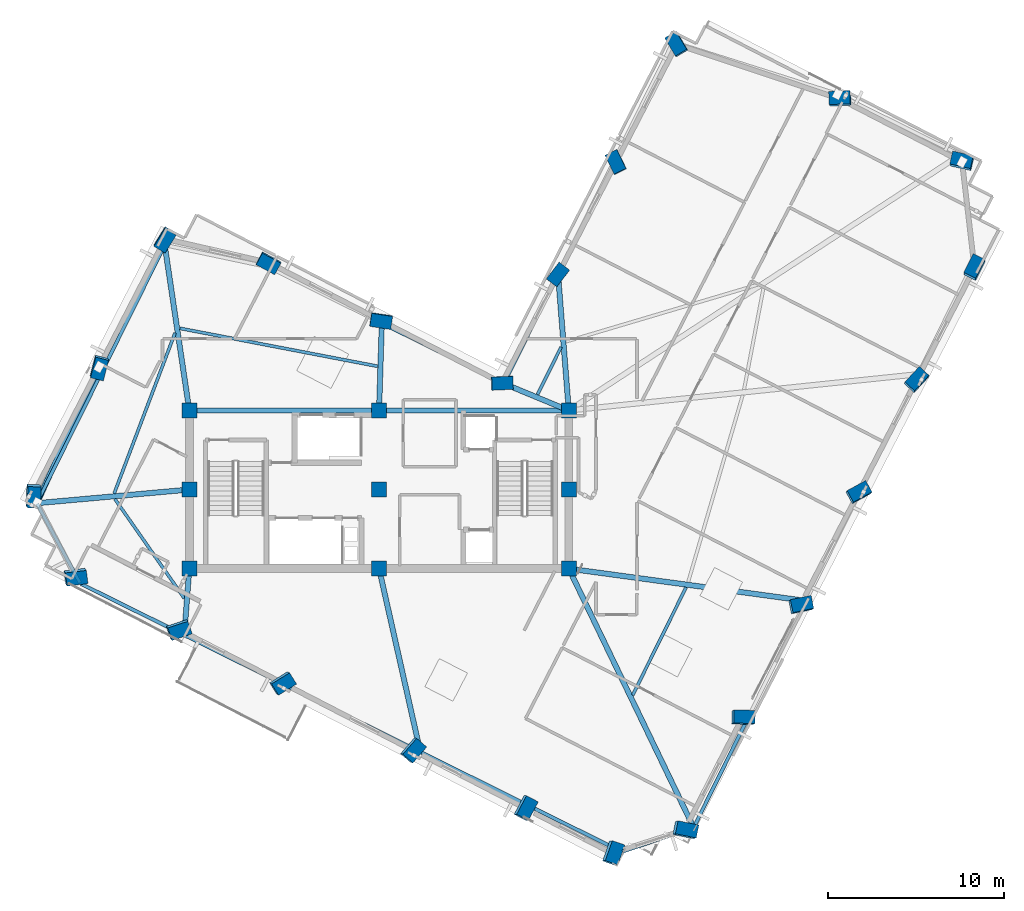
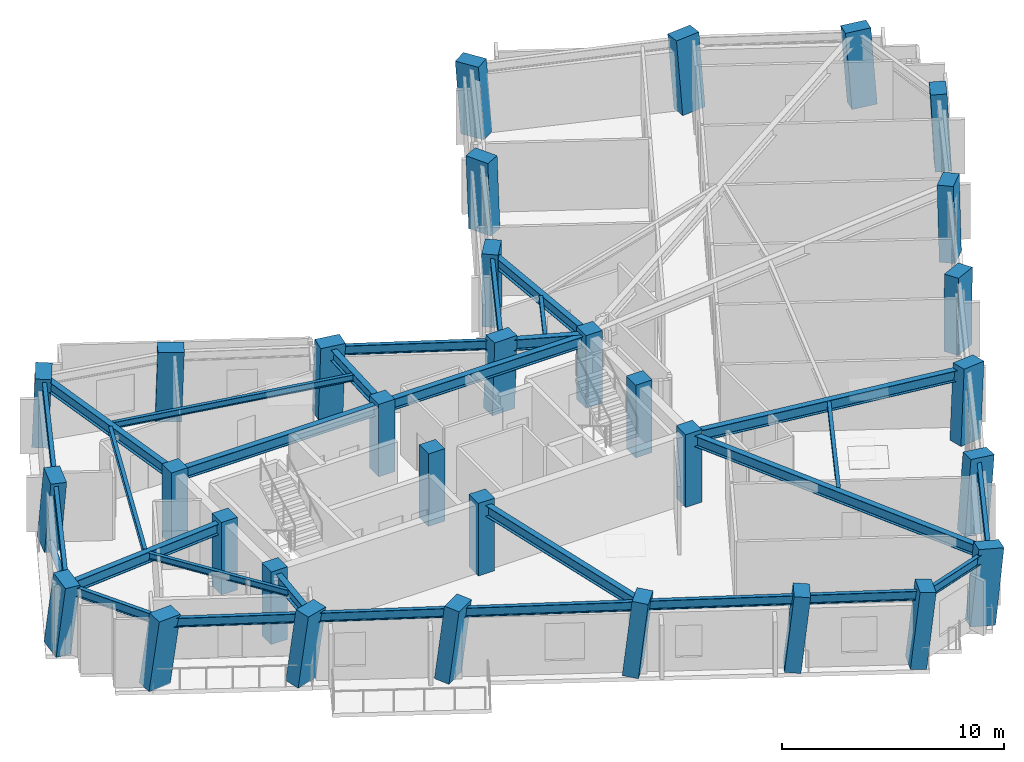
# One storey, part 1 of 11: 32 columns, 28 beams, 1 member.
"""IFC4 building model written with IfcOpenShell, lengths in metres."""

from ifc_helpers import new_model, si_unit, direction, frame, origin, origin_2d, place, context, subcontext, project, spatial, rectangle, hollow_circle, i_section, extrude, material, material_profile, profile_set, type_object, element, save


model = new_model("IFC4")

# Units and contexts
model_context = context("Model", 3, precision=1e-05, world=origin(), true_north=direction((0.0, 1.0)))
body_context = subcontext(model_context, "Body", "Model", "MODEL_VIEW")
ifc_project = project(units=[si_unit("LENGTHUNIT", "METRE"), si_unit("AREAUNIT", "SQUARE_METRE"), si_unit("VOLUMEUNIT", "CUBIC_METRE"), si_unit("PLANEANGLEUNIT", "RADIAN"), si_unit("MASSUNIT", "GRAM", prefix="KILO")], contexts=[model_context])

# Site, building, storey
site_placement = place(None, origin())
site = spatial("IfcSite", under=ifc_project, at=site_placement, CompositionType="ELEMENT")
building_placement = place(site_placement, origin())
building = spatial("IfcBuilding", under=site, at=building_placement, Name="Gaonmaruhae Medical Tower", CompositionType="ELEMENT")
storey_placement = place(building_placement, frame((0.0, 0.0, 292.60009765625)))
storey = spatial("IfcBuildingStorey", under=building, at=storey_placement, Name="L70", CompositionType="ELEMENT", Elevation=292.60009765625)

# Columns
ifc_material_1 = material(Name="Concrete C50/60", Category="concrete")
ifc_material_profile_1 = material_profile(ifc_material_1, rectangle(XDim=0.85009765625, YDim=0.85009765625, at=origin_2d()), Name="RC-850x850")
ifc_profile_set_1 = profile_set([ifc_material_profile_1], Name="Concrete C50/60")
column_type_1 = type_object("IfcColumnType", Name="CC-06 Upper Core Column (RC-850x850)", PredefinedType="COLUMN", material=ifc_profile_set_1)
for number, where, z_axis, x_axis, name in (
    (1, (14.0, 7.800048828125, 0.0), (0.0, 0.0, 1.0), (1.0, 0.0, 0.0), "L70 Plumb Core Column CC11"),
    (2, (14.0, 12.300048828125, 0.0), (0.0, 0.0, 1.0), (1.0, 0.0, 0.0), "L70 Plumb Core Column CC12"),
    (3, (14.0, 16.800048828125, 0.0), (0.0, 0.0, 1.0), (1.0, 0.0, 0.0), "L70 Plumb Core Column CC13"),
    (4, (24.800048828125, 7.800048828125, 0.0), (0.0, 0.0, 1.0), (1.0, 0.0, 0.0), "L70 Plumb Core Column CC21"),
    (5, (24.800048828125, 12.300048828125, 0.0), (0.0, 0.0, 1.0), (1.0, 0.0, 0.0), "L70 Plumb Core Column CC22"),
    (6, (24.800048828125, 16.800048828125, 0.0), (0.0, 0.0, 1.0), (1.0, 0.0, 0.0), "L70 Plumb Core Column CC23"),
    (7, (35.60009765625, 7.800048828125, 0.0), (0.0, 0.0, 1.0), (1.0, 0.0, 0.0), "L70 Plumb Core Column CC31"),
    (8, (35.60009765625, 12.300048828125, 0.0), (0.0, 0.0, 1.0), (1.0, 0.0, 0.0), "L70 Plumb Core Column CC32"),
    (9, (35.60009765625, 16.800048828125, 0.0), (0.0, 0.0, 1.0), (1.0, 0.0, 0.0), "L70 Plumb Core Column CC33"),
):
    element("IfcColumn", number, at=place(storey_placement, frame(where, z_axis=z_axis, x_axis=x_axis)), inside=storey, type_object=column_type_1, Name=name, PredefinedType="COLUMN", context=body_context, shape_type="SweptSolid", body=[
        extrude(rectangle(XDim=0.85009765625, YDim=0.85009765625, at=origin_2d()), origin(), (0.0, 0.0, 1.0), 4.0),
    ])
ifc_material_profile_2 = material_profile(ifc_material_1, rectangle(XDim=1.199951171875, YDim=0.75, at=origin_2d()), Name="RC-1200x750")
ifc_profile_set_2 = profile_set([ifc_material_profile_2], Name="Concrete C50/60")
column_type_2 = type_object("IfcColumnType", Name="TC-03 Upper Raking Tube Pier Column (RC-1200x750)", PredefinedType="COLUMN", material=ifc_profile_set_2)
column_1_placement = place(storey_placement, frame((42.180908203125, -7.087158203125, 0.001708984375), z_axis=(0.130676895503, 0.03631595058, 0.990759658401), x_axis=(-0.971066421025, 0.206165785347, 0.120522507898)))
element("IfcColumn", 10, at=column_1_placement, inside=storey, type_object=column_type_2, Name="L70 Perimeter Tube Column S01", PredefinedType="COLUMN", context=body_context, shape_type="SweptSolid", body=[
    extrude(rectangle(XDim=1.199951171875, YDim=0.75, at=origin_2d()), origin(), (0.0, 0.0, 1.0), 4.03369140625),
])
column_2_placement = place(storey_placement, frame((45.483154296875, -0.68896484375, 0.001708984375), z_axis=(0.104551954456, 0.049757749654, 0.993273907424), x_axis=(-0.994082108638, 0.034843844666, 0.102891534031)))
element("IfcColumn", 11, at=column_2_placement, inside=storey, type_object=column_type_2, Name="L70 Perimeter Tube Column S02", PredefinedType="COLUMN", context=body_context, shape_type="SweptSolid", body=[
    extrude(rectangle(XDim=1.199951171875, YDim=0.75, at=origin_2d()), origin(), (0.0, 0.0, 1.0), 4.0234375),
])
column_3_placement = place(storey_placement, frame((48.785400390625, 5.708984375, 0.001708984375), z_axis=(0.078225272526, 0.063273122532, 0.994925785525), x_axis=(-0.975830382164, -0.19940357382, 0.089405145225)))
element("IfcColumn", 12, at=column_3_placement, inside=storey, type_object=column_type_2, Name="L70 Perimeter Tube Column S03", PredefinedType="COLUMN", context=body_context, shape_type="SweptSolid", body=[
    extrude(rectangle(XDim=1.199951171875, YDim=0.75, at=origin_2d()), origin(), (0.0, 0.0, 1.0), 4.0166015625),
])
column_4_placement = place(storey_placement, frame((52.087646484375, 12.107177734375, 0.001708984375), z_axis=(0.051765437966, 0.076705308196, 0.995709111702), x_axis=(-0.875129587478, -0.476850316831, 0.082231262048)))
element("IfcColumn", 13, at=column_4_placement, inside=storey, type_object=column_type_2, Name="L70 Perimeter Tube Column S04", PredefinedType="COLUMN", context=body_context, shape_type="SweptSolid", body=[
    extrude(rectangle(XDim=1.199951171875, YDim=0.75, at=origin_2d()), origin(), (0.0, 0.0, 1.0), 4.013671875),
])
column_5_placement = place(storey_placement, frame((55.389892578125, 18.505126953125, 0.001708984375), z_axis=(0.025241482781, 0.090139463812, 0.995609232887), x_axis=(-0.680227026132, -0.728266544912, 0.083180721816)))
element("IfcColumn", 14, at=column_5_placement, inside=storey, type_object=column_type_2, Name="L70 Perimeter Tube Column S05", PredefinedType="COLUMN", context=body_context, shape_type="SweptSolid", body=[
    extrude(rectangle(XDim=1.199951171875, YDim=0.75, at=origin_2d()), origin(), (0.0, 0.0, 1.0), 4.013916015625),
])
column_6_placement = place(storey_placement, frame((58.692138671875, 24.903076171875, 0.001708984375), z_axis=(-0.001276024564, 0.103479515869, 0.994630766444), x_axis=(-0.447716651487, -0.88943410931, 0.091960671909)))
element("IfcColumn", 15, at=column_6_placement, inside=storey, type_object=column_type_2, Name="L70 Perimeter Tube Column S06", PredefinedType="COLUMN", context=body_context, shape_type="SweptSolid", body=[
    extrude(rectangle(XDim=1.199951171875, YDim=0.75, at=origin_2d()), origin(), (0.0, 0.0, 1.0), 4.017822265625),
])
column_7_placement = place(storey_placement, frame((57.98681640625, 30.9501953125, 0.001708984375), z_axis=(-0.026188357565, 0.100317815175, 0.994610730832), x_axis=(0.975028094834, -0.216930765464, 0.047552679006)))
element("IfcColumn", 16, at=column_7_placement, inside=storey, type_object=column_type_2, Name="L70 Perimeter Tube Column E01", PredefinedType="COLUMN", context=body_context, shape_type="SweptSolid", body=[
    extrude(rectangle(XDim=1.199951171875, YDim=0.75, at=origin_2d()), origin(), (0.0, 0.0, 1.0), 4.01806640625),
])
column_8_placement = place(storey_placement, frame((51.0556640625, 34.527587890625, 0.001708984375), z_axis=(-0.040791289145, 0.071780492391, 0.996585988082), x_axis=(0.998414705966, 0.041643578843, 0.037866703741)))
element("IfcColumn", 17, at=column_8_placement, inside=storey, type_object=column_type_2, Name="L70 Perimeter Tube Column E02", PredefinedType="COLUMN", context=body_context, shape_type="SweptSolid", body=[
    extrude(rectangle(XDim=1.199951171875, YDim=0.75, at=origin_2d()), origin(), (0.0, 0.0, 1.0), 4.010009765625),
])
column_9_placement = place(storey_placement, frame((41.748046875, 37.6435546875, 0.001708984375), z_axis=(-0.053409812667, 0.033228707652, 0.998019661579), x_axis=(0.510733836593, -0.857919887717, 0.055896461584)))
element("IfcColumn", 18, at=column_9_placement, inside=storey, type_object=column_type_2, Name="L70 Perimeter Tube Column E03", PredefinedType="COLUMN", context=body_context, shape_type="SweptSolid", body=[
    extrude(rectangle(XDim=1.199951171875, YDim=0.75, at=origin_2d()), origin(), (0.0, 0.0, 1.0), 4.004150390625),
])
column_10_placement = place(storey_placement, frame((38.285400390625, 30.934326171875, 0.001708984375), z_axis=(-0.025584050071, 0.019233832393, 0.999487626774), x_axis=(0.434309594516, -0.900314501729, 0.028442469799)))
element("IfcColumn", 19, at=column_10_placement, inside=storey, type_object=column_type_2, Name="L70 Perimeter Tube Column EN01", PredefinedType="COLUMN", context=body_context, shape_type="SweptSolid", body=[
    extrude(rectangle(XDim=1.199951171875, YDim=0.75, at=origin_2d()), origin(), (0.0, 0.0, 1.0), 3.998291015625),
])
column_11_placement = place(storey_placement, frame((34.983154296875, 24.536376953125, 0.001708984375), z_axis=(0.001038530792, 0.005742464379, 0.999982972633), x_axis=(-0.609467423178, -0.792794153179, 0.005185631168)))
element("IfcColumn", 20, at=column_11_placement, inside=storey, type_object=column_type_2, Name="L70 Perimeter Tube Column EN02", PredefinedType="COLUMN", context=body_context, shape_type="SweptSolid", body=[
    extrude(rectangle(XDim=1.199951171875, YDim=0.75, at=origin_2d()), origin(), (0.0, 0.0, 1.0), 3.996337890625),
])
column_12_placement = place(storey_placement, frame((31.79541015625, 18.3603515625, 0.001708984375), z_axis=(0.026747615739, -0.007267046285, 0.999615803742), x_axis=(-0.998694834125, -0.043719525929, 0.026405138601)))
element("IfcColumn", 21, at=column_12_placement, inside=storey, type_object=column_type_2, Name="L70 Perimeter Tube Column KN01", PredefinedType="COLUMN", context=body_context, shape_type="SweptSolid", body=[
    extrude(rectangle(XDim=1.199951171875, YDim=0.75, at=origin_2d()), origin(), (0.0, 0.0, 1.0), 3.997802734375),
])
column_13_placement = place(storey_placement, frame((24.90869140625, 21.914794921875, 0.001708984375), z_axis=(0.012270469901, -0.035895702993, 0.999280207987), x_axis=(-0.989094840415, 0.146248677258, 0.017398881126)))
element("IfcColumn", 22, at=column_13_placement, inside=storey, type_object=column_type_2, Name="L70 Perimeter Tube Column NE01", PredefinedType="COLUMN", context=body_context, shape_type="SweptSolid", body=[
    extrude(rectangle(XDim=1.199951171875, YDim=0.75, at=origin_2d()), origin(), (0.0, 0.0, 1.0), 3.999267578125),
])
column_14_placement = place(storey_placement, frame((18.5107421875, 25.217041015625, 0.001708984375), z_axis=(-0.001219437078, -0.062435178371, 0.998048276124), x_axis=(-0.879508980055, 0.475019608362, 0.028641328081)))
element("IfcColumn", 23, at=column_14_placement, inside=storey, type_object=column_type_2, Name="L70 Perimeter Tube Column NE02", PredefinedType="COLUMN", context=body_context, shape_type="SweptSolid", body=[
    extrude(rectangle(XDim=1.199951171875, YDim=0.75, at=origin_2d()), origin(), (0.0, 0.0, 1.0), 4.004150390625),
])
column_15_placement = place(storey_placement, frame((12.624267578125, 26.567138671875, 0.001708984375), z_axis=(-0.006572870301, -0.086664512123, 0.996215870037), x_axis=(0.524283941242, 0.848033873805, 0.077232751051)))
element("IfcColumn", 24, at=column_15_placement, inside=storey, type_object=column_type_2, Name="L70 Perimeter Tube Column N01", PredefinedType="COLUMN", context=body_context, shape_type="SweptSolid", body=[
    extrude(rectangle(XDim=1.199951171875, YDim=0.75, at=origin_2d()), origin(), (0.0, 0.0, 1.0), 4.011474609375),
])
column_16_placement = place(storey_placement, frame((8.86328125, 19.280517578125, 0.001708984375), z_axis=(0.023634379865, -0.101767573967, 0.994527413889), x_axis=(0.246838352146, 0.964599256067, 0.092839124866)))
element("IfcColumn", 25, at=column_16_placement, inside=storey, type_object=column_type_2, Name="L70 Perimeter Tube Column N02", PredefinedType="COLUMN", context=body_context, shape_type="SweptSolid", body=[
    extrude(rectangle(XDim=1.199951171875, YDim=0.75, at=origin_2d()), origin(), (0.0, 0.0, 1.0), 4.018310546875),
])
column_17_placement = place(storey_placement, frame((5.1025390625, 11.993896484375, 0.001708984375), z_axis=(0.053617586983, -0.116746994481, 0.991713312226), x_axis=(0.049001612561, 0.992253020135, 0.114161228095)))
element("IfcColumn", 26, at=column_17_placement, inside=storey, type_object=column_type_2, Name="L70 Perimeter Tube Column N03", PredefinedType="COLUMN", context=body_context, shape_type="SweptSolid", body=[
    extrude(rectangle(XDim=1.199951171875, YDim=0.75, at=origin_2d()), origin(), (0.0, 0.0, 1.0), 4.02978515625),
])
column_18_placement = place(storey_placement, frame((7.503173828125, 7.378662109375, 0.001708984375), z_axis=(0.072515084343, -0.106682592755, 0.991645292908), x_axis=(-0.990592693613, -0.123392933804, 0.059163326888)))
element("IfcColumn", 27, at=column_18_placement, inside=storey, type_object=column_type_2, Name="L70 Perimeter Tube Column W01", PredefinedType="COLUMN", context=body_context, shape_type="SweptSolid", body=[
    extrude(rectangle(XDim=1.199951171875, YDim=0.75, at=origin_2d()), origin(), (0.0, 0.0, 1.0), 4.030029296875),
])
column_19_placement = place(storey_placement, frame((13.3681640625, 4.351806640625, 0.001708984375), z_axis=(0.08486484441, -0.082620384623, 0.992961142356), x_axis=(-0.946188801728, -0.319023187109, 0.05432271689)))
element("IfcColumn", 28, at=column_19_placement, inside=storey, type_object=column_type_2, Name="L70 Perimeter Tube Column W02", PredefinedType="COLUMN", context=body_context, shape_type="SweptSolid", body=[
    extrude(rectangle(XDim=1.199951171875, YDim=0.75, at=origin_2d()), origin(), (0.0, 0.0, 1.0), 4.024658203125),
])
column_20_placement = place(storey_placement, frame((19.27734375, 1.3017578125, 0.001708984375), z_axis=(0.097297535107, -0.058208569038, 0.993551685698), x_axis=(-0.847263732514, -0.528620835039, 0.052001733913)))
element("IfcColumn", 29, at=column_20_placement, inside=storey, type_object=column_type_2, Name="L70 Perimeter Tube Column W03", PredefinedType="COLUMN", context=body_context, shape_type="SweptSolid", body=[
    extrude(rectangle(XDim=1.199951171875, YDim=0.75, at=origin_2d()), origin(), (0.0, 0.0, 1.0), 4.022216796875),
])
column_21_placement = place(storey_placement, frame((26.697509765625, -2.52783203125, 0.001708984375), z_axis=(0.112740407542, -0.027487300655, 0.993244204015), x_axis=(-0.653074901278, -0.755420732918, 0.053223017568)))
element("IfcColumn", 30, at=column_21_placement, inside=storey, type_object=column_type_2, Name="L70 Perimeter Tube Column W04", PredefinedType="COLUMN", context=body_context, shape_type="SweptSolid", body=[
    extrude(rectangle(XDim=1.199951171875, YDim=0.75, at=origin_2d()), origin(), (0.0, 0.0, 1.0), 4.0234375),
])
column_22_placement = place(storey_placement, frame((33.095458984375, -5.830078125, 0.001708984375), z_axis=(0.125996137797, -0.001030271449, 0.992030197021), x_axis=(-0.462244984884, -0.88486715915, 0.057790004391)))
element("IfcColumn", 31, at=column_22_placement, inside=storey, type_object=column_type_2, Name="L70 Perimeter Tube Column W05", PredefinedType="COLUMN", context=body_context, shape_type="SweptSolid", body=[
    extrude(rectangle(XDim=1.199951171875, YDim=0.75, at=origin_2d()), origin(), (0.0, 0.0, 1.0), 4.028564453125),
])
column_23_placement = place(storey_placement, frame((38.07177734375, -8.398681640625, 0.001708984375), z_axis=(0.136148682381, 0.019484389212, 0.99049679195), x_axis=(-0.323820668418, -0.944013238211, 0.063080748161)))
element("IfcColumn", 32, at=column_23_placement, inside=storey, type_object=column_type_2, Name="L70 Perimeter Tube Column W06", PredefinedType="COLUMN", context=body_context, shape_type="SweptSolid", body=[
    extrude(rectangle(XDim=1.199951171875, YDim=0.75, at=origin_2d()), origin(), (0.0, 0.0, 1.0), 4.03466796875),
])

# Beams
ifc_material_2 = material(Name="Steel SM355", Category="steel")
ifc_material_profile_3 = material_profile(ifc_material_2, i_section(OverallWidth=0.175048828125, OverallDepth=0.35009765625, WebThickness=0.007080078125, FlangeThickness=0.010986328125, FilletRadius=0.012939453125, at=origin_2d()), Name="H-350x175x7x11")
ifc_profile_set_3 = profile_set([ifc_material_profile_3], Name="Steel SM355")
beam_type_1 = type_object("IfcBeamType", Name="FJ-02 Upper Zone Ward Floor Joist (H-350x175x7x11)", PredefinedType="JOIST", material=ifc_profile_set_3)
beam_1_placement = place(storey_placement, frame((39.2412109375, 0.60546875, 3.60498046875), z_axis=(0.443840744548, 0.896105682093, 0.0), x_axis=(-0.896105682093, 0.443840744548, 0.0)))
element("IfcBeam", 33, at=beam_1_placement, inside=storey, type_object=beam_type_1, Name="L70 Secondary Floor Joist FJ01", PredefinedType="JOIST", context=body_context, shape_type="SweptSolid", body=[
    extrude(i_section(OverallWidth=0.175048828125, OverallDepth=0.35009765625, WebThickness=0.007080078125, FlangeThickness=0.010986328125, FilletRadius=0.012939453125, at=origin_2d()), origin(), (0.0, 0.0, 1.0), 6.839599609375),
])
beam_2_placement = place(storey_placement, frame((35.1611328125, 20.412109375, 3.60498046875), z_axis=(-0.443879980575, -0.896086247436, 0.0), x_axis=(0.896086247436, -0.443879980575, 0.0)))
element("IfcBeam", 34, at=beam_2_placement, inside=storey, type_object=beam_type_1, Name="L70 Secondary Floor Joist FJ05", PredefinedType="JOIST", context=body_context, shape_type="SweptSolid", body=[
    extrude(i_section(OverallWidth=0.175048828125, OverallDepth=0.35009765625, WebThickness=0.007080078125, FlangeThickness=0.010986328125, FilletRadius=0.012939453125, at=origin_2d()), origin(), (0.0, 0.0, 1.0), 3.02001953125),
])
beam_3_placement = place(storey_placement, frame((24.723876953125, 19.3154296875, 3.60498046875), z_axis=(-0.98205272747, 0.188606575887, 0.0), x_axis=(-0.188606575887, -0.98205272747, 0.0)))
element("IfcBeam", 35, at=beam_3_placement, inside=storey, type_object=beam_type_1, Name="L70 Secondary Floor Joist FJ07", PredefinedType="JOIST", context=body_context, shape_type="SweptSolid", body=[
    extrude(i_section(OverallWidth=0.175048828125, OverallDepth=0.35009765625, WebThickness=0.007080078125, FlangeThickness=0.010986328125, FilletRadius=0.012939453125, at=origin_2d()), origin(), (0.0, 0.0, 1.0), 11.46875),
])
beam_4_placement = place(storey_placement, frame((13.18798828125, 21.216796875, 3.60498046875), z_axis=(-0.354590261491, -0.935021789295, 0.0), x_axis=(0.935021789295, -0.354590261491, 0.0)))
element("IfcBeam", 36, at=beam_4_placement, inside=storey, type_object=beam_type_1, Name="L70 Secondary Floor Joist FJ08", PredefinedType="JOIST", context=body_context, shape_type="SweptSolid", body=[
    extrude(i_section(OverallWidth=0.175048828125, OverallDepth=0.35009765625, WebThickness=0.007080078125, FlangeThickness=0.010986328125, FilletRadius=0.012939453125, at=origin_2d()), origin(), (0.0, 0.0, 1.0), 9.779052734375),
])
beam_5_placement = place(storey_placement, frame((9.76171875, 11.76513671875, 3.60498046875), z_axis=(0.572916176444, -0.819613966919, 0.0), x_axis=(0.819613966919, 0.572916176444, 0.0)))
element("IfcBeam", 37, at=beam_5_placement, inside=storey, type_object=beam_type_1, Name="L70 Secondary Floor Joist FJ09", PredefinedType="JOIST", context=body_context, shape_type="SweptSolid", body=[
    extrude(i_section(OverallWidth=0.175048828125, OverallDepth=0.35009765625, WebThickness=0.007080078125, FlangeThickness=0.010986328125, FilletRadius=0.012939453125, at=origin_2d()), origin(), (0.0, 0.0, 1.0), 6.901611328125),
])

# Member
ifc_material_profile_4 = material_profile(ifc_material_2, hollow_circle(Radius=0.1591796875, WallThickness=0.01025390625, at=origin_2d()), Name="CHS-318.5x10.3")
ifc_profile_set_4 = profile_set([ifc_material_profile_4], Name="Steel SM355")
member_type = type_object("IfcMemberType", Name="PB-03 Perimeter Solid-Bay Tube Brace Upper (CHS-318.5x10.3)", PredefinedType="BRACE", material=ifc_profile_set_4)
member_placement = place(storey_placement, frame((8.86328125, 19.28076171875, 0.25), z_axis=(-0.387917359548, -0.848934925428, 0.358928425386), x_axis=(0.909542190232, -0.415611602567, 0.0)))
element("IfcMember", 38, at=member_placement, inside=storey, type_object=member_type, Name="L70 Perimeter Tube Solid-Bay Brace N02-N03", PredefinedType="BRACE", context=body_context, shape_type="SweptSolid", body=[
    extrude(hollow_circle(Radius=0.1591796875, WallThickness=0.01025390625, at=origin_2d()), origin(), (0.0, 0.0, 1.0), 9.1376953125),
])

# Beams
ifc_material_3 = material(Name="Steel SM420", Category="steel")
ifc_material_profile_5 = material_profile(ifc_material_3, i_section(OverallWidth=0.300048828125, OverallDepth=0.60009765625, WebThickness=0.011962890625, FlangeThickness=0.02001953125, FilletRadius=0.012939453125, at=origin_2d()), Name="H-600x300x12x20")
ifc_profile_set_5 = profile_set([ifc_material_profile_5], Name="Steel SM420")
beam_type_2 = type_object("IfcBeamType", Name="PG-04 Zone 4 Radial Floor Girder (H-600x300x12x20)", PredefinedType="BEAM", material=ifc_profile_set_5)
for number, where, z_axis, x_axis, name in (
    (39, (14.050048828125, 16.800048828125, 3.47998046875), (1.0, 0.0, 0.0), (0.0, 1.0, 0.0), "L70 Beam BM-L70-CG-N1"),
    (40, (24.85009765625, 16.800048828125, 3.47998046875), (1.0, 0.0, 0.0), (0.0, 1.0, 0.0), "L70 Beam BM-L70-CG-N2"),
):
    element("IfcBeam", number, at=place(storey_placement, frame(where, z_axis=z_axis, x_axis=x_axis)), inside=storey, type_object=beam_type_2, Name=name, PredefinedType="BEAM", context=body_context, shape_type="SweptSolid", body=[
        extrude(i_section(OverallWidth=0.300048828125, OverallDepth=0.60009765625, WebThickness=0.011962890625, FlangeThickness=0.02001953125, FilletRadius=0.012939453125, at=origin_2d()), origin(), (0.0, 0.0, 1.0), 10.699951171875),
    ])
beam_6_placement = place(storey_placement, frame((35.621826171875, 7.7548828125, 3.47998046875), z_axis=(0.434354861042, -0.900741835761, 0.0), x_axis=(0.900741835761, 0.434354861042, 0.0)))
element("IfcBeam", 41, at=beam_6_placement, inside=storey, type_object=beam_type_2, Name="L70 Radial Primary Girder S01", PredefinedType="BEAM", context=body_context, shape_type="SweptSolid", body=[
    extrude(i_section(OverallWidth=0.300048828125, OverallDepth=0.60009765625, WebThickness=0.011962890625, FlangeThickness=0.02001953125, FilletRadius=0.012939453125, at=origin_2d()), origin(), (0.0, 0.0, 1.0), 16.264892578125),
])
beam_7_placement = place(storey_placement, frame((35.649658203125, 7.793212890625, 3.47998046875), z_axis=(0.990870549777, -0.13481674074, 0.0), x_axis=(0.13481674074, 0.990870549777, 0.0)))
element("IfcBeam", 42, at=beam_7_placement, inside=storey, type_object=beam_type_2, Name="L70 Radial Primary Girder S03", PredefinedType="BEAM", context=body_context, shape_type="SweptSolid", body=[
    extrude(i_section(OverallWidth=0.300048828125, OverallDepth=0.60009765625, WebThickness=0.011962890625, FlangeThickness=0.02001953125, FilletRadius=0.012939453125, at=origin_2d()), origin(), (0.0, 0.0, 1.0), 13.52392578125),
])
beam_8_placement = place(storey_placement, frame((35.595947265625, 16.849853515625, 3.47998046875), z_axis=(-0.078708302573, 0.996897689387, 0.0), x_axis=(-0.996897689387, -0.078708302573, 0.0)))
element("IfcBeam", 43, at=beam_8_placement, inside=storey, type_object=beam_type_2, Name="L70 Radial Primary Girder EN02", PredefinedType="BEAM", context=body_context, shape_type="SweptSolid", body=[
    extrude(i_section(OverallWidth=0.300048828125, OverallDepth=0.60009765625, WebThickness=0.011962890625, FlangeThickness=0.02001953125, FilletRadius=0.012939453125, at=origin_2d()), origin(), (0.0, 0.0, 1.0), 7.683349609375),
])
beam_9_placement = place(storey_placement, frame((35.5537109375, 16.819091796875, 3.47998046875), z_axis=(-0.923885670209, 0.382668614316, 0.0), x_axis=(-0.382668614316, -0.923885670209, 0.0)))
element("IfcBeam", 44, at=beam_9_placement, inside=storey, type_object=beam_type_2, Name="L70 Radial Primary Girder KN01", PredefinedType="BEAM", context=body_context, shape_type="SweptSolid", body=[
    extrude(i_section(OverallWidth=0.300048828125, OverallDepth=0.60009765625, WebThickness=0.011962890625, FlangeThickness=0.02001953125, FilletRadius=0.012939453125, at=origin_2d()), origin(), (0.0, 0.0, 1.0), 3.90185546875),
])
beam_10_placement = place(storey_placement, frame((24.801513671875, 16.849853515625, 3.47998046875), z_axis=(0.031708600195, 0.999497155911, 0.0), x_axis=(-0.999497155911, 0.031708600195, 0.0)))
element("IfcBeam", 45, at=beam_10_placement, inside=storey, type_object=beam_type_2, Name="L70 Radial Primary Girder NE01", PredefinedType="BEAM", context=body_context, shape_type="SweptSolid", body=[
    extrude(i_section(OverallWidth=0.300048828125, OverallDepth=0.60009765625, WebThickness=0.011962890625, FlangeThickness=0.02001953125, FilletRadius=0.012939453125, at=origin_2d()), origin(), (0.0, 0.0, 1.0), 4.873779296875),
])
beam_11_placement = place(storey_placement, frame((13.99267578125, 16.849365234375, 3.47998046875), z_axis=(-0.147236882278, 0.989101258971, 0.0), x_axis=(-0.989101258971, -0.147236882278, 0.0)))
element("IfcBeam", 46, at=beam_11_placement, inside=storey, type_object=beam_type_2, Name="L70 Radial Primary Girder N01", PredefinedType="BEAM", context=body_context, shape_type="SweptSolid", body=[
    extrude(i_section(OverallWidth=0.300048828125, OverallDepth=0.60009765625, WebThickness=0.011962890625, FlangeThickness=0.02001953125, FilletRadius=0.012939453125, at=origin_2d()), origin(), (0.0, 0.0, 1.0), 9.42333984375),
])
beam_12_placement = place(storey_placement, frame((13.9501953125, 12.295654296875, 3.47998046875), z_axis=(-0.996021328988, -0.089115162575, 0.0), x_axis=(0.089115162575, -0.996021328988, 0.0)))
element("IfcBeam", 47, at=beam_12_placement, inside=storey, type_object=beam_type_2, Name="L70 Radial Primary Girder N03", PredefinedType="BEAM", context=body_context, shape_type="SweptSolid", body=[
    extrude(i_section(OverallWidth=0.300048828125, OverallDepth=0.60009765625, WebThickness=0.011962890625, FlangeThickness=0.02001953125, FilletRadius=0.012939453125, at=origin_2d()), origin(), (0.0, 0.0, 1.0), 8.615966796875),
])
beam_13_placement = place(storey_placement, frame((13.99609375, 7.750244140625, 3.47998046875), z_axis=(-0.076509395905, -0.997068860379, 0.0), x_axis=(0.997068860379, -0.076509395905, 0.0)))
element("IfcBeam", 48, at=beam_13_placement, inside=storey, type_object=beam_type_2, Name="L70 Radial Primary Girder W02", PredefinedType="BEAM", context=body_context, shape_type="SweptSolid", body=[
    extrude(i_section(OverallWidth=0.300048828125, OverallDepth=0.60009765625, WebThickness=0.011962890625, FlangeThickness=0.02001953125, FilletRadius=0.012939453125, at=origin_2d()), origin(), (0.0, 0.0, 1.0), 3.69189453125),
])
beam_14_placement = place(storey_placement, frame((24.81103515625, 7.751220703125, 3.4599609375), z_axis=(0.219746205934, -0.975557074178, 0.0), x_axis=(0.975557074178, 0.219746205934, 0.0)))
element("IfcBeam", 49, at=beam_14_placement, inside=storey, type_object=beam_type_2, Name="L70 Radial Primary Girder W04", PredefinedType="BEAM", context=body_context, shape_type="SweptSolid", body=[
    extrude(i_section(OverallWidth=0.300048828125, OverallDepth=0.60009765625, WebThickness=0.011962890625, FlangeThickness=0.02001953125, FilletRadius=0.012939453125, at=origin_2d()), origin(), (0.0, 0.0, 1.0), 10.60009765625),
])
ifc_material_profile_6 = material_profile(ifc_material_2, i_section(OverallWidth=0.199951171875, OverallDepth=0.5, WebThickness=0.010009765625, FlangeThickness=0.01611328125, FilletRadius=0.012939453125, at=origin_2d()), Name="H-500x200x10x16")
ifc_profile_set_6 = profile_set([ifc_material_profile_6], Name="Steel SM355")
beam_type_3 = type_object("IfcBeamType", Name="SP-02 Upper Perimeter Spandrel Beam (H-500x200x10x16)", PredefinedType="SPANDREL", material=ifc_profile_set_6)
beam_15_placement = place(storey_placement, frame((42.725830078125, -6.90478515625, 3.52978515625), z_axis=(0.443863912983, 0.896094206404, 0.0), x_axis=(-0.896094206404, 0.443863912983, 0.0)))
element("IfcBeam", 50, at=beam_15_placement, inside=storey, type_object=beam_type_3, Name="L70 Perimeter Spandrel Beam S01-S02", PredefinedType="SPANDREL", context=body_context, shape_type="SweptSolid", body=[
    extrude(i_section(OverallWidth=0.199951171875, OverallDepth=0.5, WebThickness=0.010009765625, FlangeThickness=0.01611328125, FilletRadius=0.012939453125, at=origin_2d()), origin(), (0.0, 0.0, 1.0), 7.1201171875),
])
beam_16_placement = place(storey_placement, frame((34.969482421875, 24.5234375, 3.52978515625), z_axis=(-0.443855767428, -0.89609824111, 0.0), x_axis=(0.89609824111, -0.443855767428, 0.0)))
element("IfcBeam", 51, at=beam_16_placement, inside=storey, type_object=beam_type_3, Name="L70 Perimeter Spandrel Beam EN02-KN01", PredefinedType="SPANDREL", context=body_context, shape_type="SweptSolid", body=[
    extrude(i_section(OverallWidth=0.199951171875, OverallDepth=0.5, WebThickness=0.010009765625, FlangeThickness=0.01611328125, FilletRadius=0.012939453125, at=origin_2d()), origin(), (0.0, 0.0, 1.0), 6.8701171875),
])
beam_17_placement = place(storey_placement, frame((31.86669921875, 18.34912109375, 3.52978515625), z_axis=(-0.896101542736, 0.44384910173, 0.0), x_axis=(-0.44384910173, -0.896101542736, 0.0)))
element("IfcBeam", 52, at=beam_17_placement, inside=storey, type_object=beam_type_3, Name="L70 Perimeter Spandrel Beam KN01-NE01", PredefinedType="SPANDREL", context=body_context, shape_type="SweptSolid", body=[
    extrude(i_section(OverallWidth=0.199951171875, OverallDepth=0.5, WebThickness=0.010009765625, FlangeThickness=0.01611328125, FilletRadius=0.012939453125, at=origin_2d()), origin(), (0.0, 0.0, 1.0), 7.669921875),
])
for number, where, z_axis, x_axis, name in (
    (53, (12.580078125, 26.18359375, 3.52978515625), (-0.4438429681, -0.896104580765, 0.0), (0.896104580765, -0.4438429681, 0.0), "L70 Perimeter Spandrel Beam N01-N02"),
    (54, (8.9404296875, 18.83544921875, 3.52978515625), (-0.4438429681, -0.896104580765, 0.0), (0.896104580765, -0.4438429681, 0.0), "L70 Perimeter Spandrel Beam N02-N03"),
):
    element("IfcBeam", number, at=place(storey_placement, frame(where, z_axis=z_axis, x_axis=x_axis)), inside=storey, type_object=beam_type_3, Name=name, PredefinedType="SPANDREL", context=body_context, shape_type="SweptSolid", body=[
        extrude(i_section(OverallWidth=0.199951171875, OverallDepth=0.5, WebThickness=0.010009765625, FlangeThickness=0.01611328125, FilletRadius=0.012939453125, at=origin_2d()), origin(), (0.0, 0.0, 1.0), 8.1201171875),
    ])
beam_18_placement = place(storey_placement, frame((5.337646484375, 11.488037109375, 3.52978515625), z_axis=(0.476128053166, -0.879375958841, 0.0), x_axis=(0.879375958841, 0.476128053166, 0.0)))
element("IfcBeam", 55, at=beam_18_placement, inside=storey, type_object=beam_type_3, Name="L70 Perimeter Spandrel Beam N03-W01", PredefinedType="SPANDREL", context=body_context, shape_type="SweptSolid", body=[
    extrude(i_section(OverallWidth=0.199951171875, OverallDepth=0.5, WebThickness=0.010009765625, FlangeThickness=0.01611328125, FilletRadius=0.012939453125, at=origin_2d()), origin(), (0.0, 0.0, 1.0), 5.1220703125),
])
beam_19_placement = place(storey_placement, frame((7.831298828125, 6.930908203125, 3.52978515625), z_axis=(0.896090991647, -0.443870403033, 0.0), x_axis=(0.443870403033, 0.896090991647, 0.0)))
element("IfcBeam", 56, at=beam_19_placement, inside=storey, type_object=beam_type_3, Name="L70 Perimeter Spandrel Beam W01-W02", PredefinedType="SPANDREL", context=body_context, shape_type="SweptSolid", body=[
    extrude(i_section(OverallWidth=0.199951171875, OverallDepth=0.5, WebThickness=0.010009765625, FlangeThickness=0.01611328125, FilletRadius=0.012939453125, at=origin_2d()), origin(), (0.0, 0.0, 1.0), 6.52001953125),
])
beam_20_placement = place(storey_placement, frame((13.74560546875, 4.00146484375, 3.52978515625), z_axis=(0.896107880401, -0.443836306179, 0.0), x_axis=(0.443836306179, 0.896107880401, 0.0)))
element("IfcBeam", 57, at=beam_20_placement, inside=storey, type_object=beam_type_3, Name="L70 Perimeter Spandrel Beam W02-W03", PredefinedType="SPANDREL", context=body_context, shape_type="SweptSolid", body=[
    extrude(i_section(OverallWidth=0.199951171875, OverallDepth=0.5, WebThickness=0.010009765625, FlangeThickness=0.01611328125, FilletRadius=0.012939453125, at=origin_2d()), origin(), (0.0, 0.0, 1.0), 6.570068359375),
])
beam_21_placement = place(storey_placement, frame((19.70458984375, 1.0498046875, 3.510009765625), z_axis=(0.896103544673, -0.44384505993, 0.0), x_axis=(0.44384505993, 0.896103544673, 0.0)))
element("IfcBeam", 58, at=beam_21_placement, inside=storey, type_object=beam_type_3, Name="L70 Perimeter Spandrel Beam W03-W04", PredefinedType="SPANDREL", context=body_context, shape_type="SweptSolid", body=[
    extrude(i_section(OverallWidth=0.199951171875, OverallDepth=0.5, WebThickness=0.010009765625, FlangeThickness=0.01611328125, FilletRadius=0.012939453125, at=origin_2d()), origin(), (0.0, 0.0, 1.0), 8.27001953125),
])
beam_22_placement = place(storey_placement, frame((27.18701171875, -2.65625, 3.52978515625), z_axis=(0.896094206404, -0.443863912983, 0.0), x_axis=(0.443863912983, 0.896094206404, 0.0)))
element("IfcBeam", 59, at=beam_22_placement, inside=storey, type_object=beam_type_3, Name="L70 Perimeter Spandrel Beam W04-W05", PredefinedType="SPANDREL", context=body_context, shape_type="SweptSolid", body=[
    extrude(i_section(OverallWidth=0.199951171875, OverallDepth=0.5, WebThickness=0.010009765625, FlangeThickness=0.01611328125, FilletRadius=0.012939453125, at=origin_2d()), origin(), (0.0, 0.0, 1.0), 7.1201171875),
])
beam_23_placement = place(storey_placement, frame((33.638916015625, -5.85205078125, 3.52978515625), z_axis=(0.89609273968, -0.443866874065, 0.0), x_axis=(0.443866874065, 0.89609273968, 0.0)))
element("IfcBeam", 60, at=beam_23_placement, inside=storey, type_object=beam_type_3, Name="L70 Perimeter Spandrel Beam W05-W06", PredefinedType="SPANDREL", context=body_context, shape_type="SweptSolid", body=[
    extrude(i_section(OverallWidth=0.199951171875, OverallDepth=0.5, WebThickness=0.010009765625, FlangeThickness=0.01611328125, FilletRadius=0.012939453125, at=origin_2d()), origin(), (0.0, 0.0, 1.0), 5.52001953125),
])
beam_24_placement = place(storey_placement, frame((38.6591796875, -8.30712890625, 3.52978515625), z_axis=(0.947494463074, 0.319772172717, 0.0), x_axis=(-0.319772172717, 0.947494463074, 0.0)))
element("IfcBeam", 61, at=beam_24_placement, inside=storey, type_object=beam_type_3, Name="L70 Perimeter Spandrel Beam W06-S01", PredefinedType="SPANDREL", context=body_context, shape_type="SweptSolid", body=[
    extrude(i_section(OverallWidth=0.199951171875, OverallDepth=0.5, WebThickness=0.010009765625, FlangeThickness=0.01611328125, FilletRadius=0.012939453125, at=origin_2d()), origin(), (0.0, 0.0, 1.0), 4.2333984375),
])

save(model, "model.ifc")
